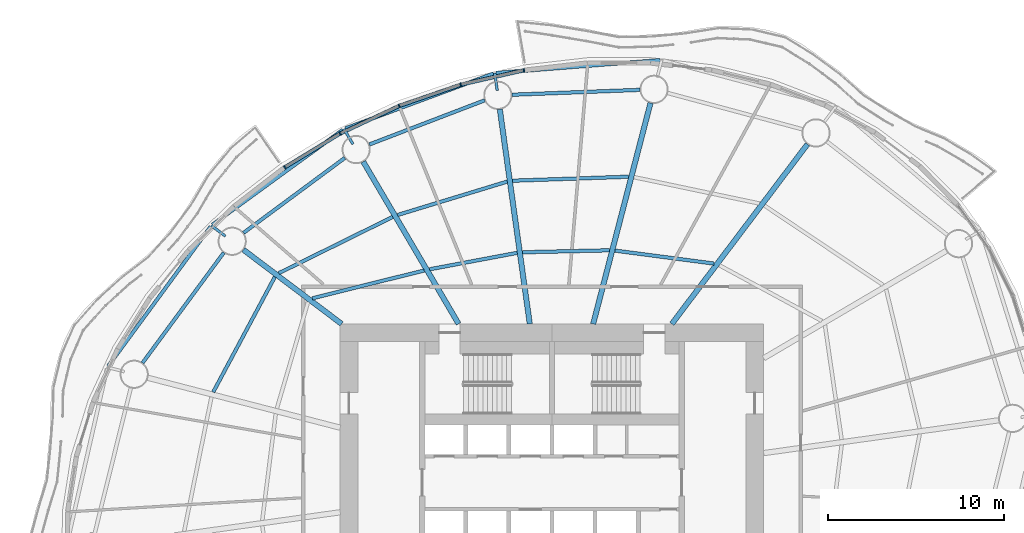
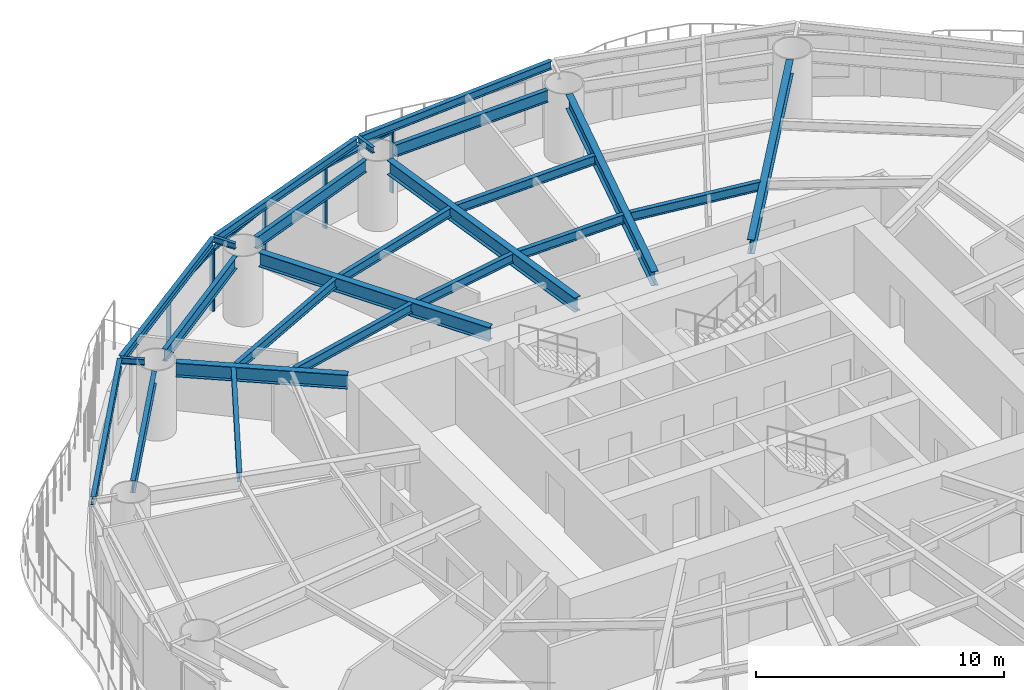
# One storey, part 4 of 15: 24 beams, 9 members, 4 elements without a shape of their own.
"""IFC4 building model written with IfcOpenShell, lengths in metres."""

import ifcopenshell
import ifcopenshell.guid

model = None  # the IFC model being written
_history = None  # IfcOwnerHistory: only IFC2X3 demands one
_inside = {}  # id of a spatial element -> (the spatial element, [elements in it])
_under = {}  # id of a project, library or spatial element -> (it, [spatial elements below it])
_declared = {}  # id of a project -> (the project, [libraries it declares])
_typed = {}  # id of a type object -> (the type object, [elements of that type])
_made_of = {}  # id of a material, layer set ... -> (it, [elements and type objects made of it])


def new_model(schema):
    """Start an empty IFC model of exactly this schema.

    Asked for "IFC4X3", IfcOpenShell would pick the latest addendum, in which some entities
    have other attributes; the version numbers below select the first issue.
    IFC2X3 requires an IfcOwnerHistory on every rooted entity: one is made here for all.
    """
    global model, _history
    if schema == "IFC4X3":
        model = ifcopenshell.file(schema_version=(4, 3, 0, 0))
    else:
        model = ifcopenshell.file(schema=schema)
    _inside.clear()
    _under.clear()
    _declared.clear()
    _typed.clear()
    _made_of.clear()
    _history = None
    if model.schema == "IFC2X3":
        org = make("IfcOrganization", Name="unknown")
        user = make(
            "IfcPersonAndOrganization",
            ThePerson=make("IfcPerson", FamilyName="unknown"),
            TheOrganization=org,
        )
        app = make(
            "IfcApplication",
            ApplicationDeveloper=org,
            Version="unknown",
            ApplicationFullName="unknown",
            ApplicationIdentifier="unknown",
        )
        _history = make(
            "IfcOwnerHistory",
            OwningUser=user,
            OwningApplication=app,
            ChangeAction="ADDED",
            CreationDate=0,
        )
    return model


def make(cls, **values):
    """One entity of the class cls with the attributes given. An attribute that is None is left unset."""
    return model.create_entity(
        cls, **{name: value for name, value in values.items() if value is not None}
    )


def rooted(cls, **values):
    """An entity with a GlobalId (a new one), such as an element, a storey or a relation."""
    return make(cls, GlobalId=ifcopenshell.guid.new(), OwnerHistory=_history, **values)


def si_unit(unit_type, name, prefix=None):
    """IfcSIUnit, for example si_unit("LENGTHUNIT", "METRE", prefix="MILLI")."""
    return make("IfcSIUnit", UnitType=unit_type, Prefix=prefix, Name=name)


def assignment(units):
    """IfcUnitAssignment: the units of a project."""
    return None if units is None else make("IfcUnitAssignment", Units=units)


def point(xyz):
    """IfcCartesianPoint."""
    return None if xyz is None else make("IfcCartesianPoint", Coordinates=xyz)


def direction(xyz):
    """IfcDirection."""
    return None if xyz is None else make("IfcDirection", DirectionRatios=xyz)


def frame(location, z_axis=None, x_axis=None):
    """IfcAxis2Placement3D, a coordinate frame: its origin and axes. An axis left out is left unset."""
    return make(
        "IfcAxis2Placement3D",
        Location=point(location),
        Axis=direction(z_axis),
        RefDirection=direction(x_axis),
    )


def frame_2d(location, x_axis=None):
    """IfcAxis2Placement2D, a coordinate frame in the plane: its origin and x axis."""
    return make(
        "IfcAxis2Placement2D", Location=point(location), RefDirection=direction(x_axis)
    )


def origin():
    """The frame at (0, 0, 0) with its axes left unset."""
    return frame((0.0, 0.0, 0.0))


def origin_2d():
    """The frame at (0, 0) in the plane with its x axis left unset."""
    return frame_2d((0.0, 0.0))


def place(relative_to, where):
    """IfcLocalPlacement: puts the frame where relative to a parent placement (None: the world)."""
    return make(
        "IfcLocalPlacement", PlacementRelTo=relative_to, RelativePlacement=where
    )


def context(
    kind, dimensions, precision=None, world=None, true_north=None, identifier=None
):
    """IfcGeometricRepresentationContext, for example the 3D "Model" context."""
    return make(
        "IfcGeometricRepresentationContext",
        ContextIdentifier=identifier,
        ContextType=kind,
        CoordinateSpaceDimension=dimensions,
        Precision=precision,
        WorldCoordinateSystem=world,
        TrueNorth=true_north,
    )


def subcontext(parent, identifier, kind, view, scale=None):
    """IfcGeometricRepresentationSubContext, for example "Body" below "Model"."""
    return make(
        "IfcGeometricRepresentationSubContext",
        ContextIdentifier=identifier,
        ContextType=kind,
        ParentContext=parent,
        TargetScale=scale,
        TargetView=view,
    )


def project(units=None, contexts=None):
    """IfcProject with its units and contexts."""
    return rooted(
        "IfcProject",
        Name="project",
        RepresentationContexts=contexts,
        UnitsInContext=assignment(units),
    )


def spatial(cls, under=None, at=None, **own):
    """A site, building, storey or space (cls), placed at a placement, below another one or the project."""
    s = rooted(cls, ObjectPlacement=at, **own)
    if under is not None:
        _under.setdefault(under.id(), (under, []))[1].append(s)
    return s


def profile(cls, at=None, kind="AREA", **sizes):
    """A parametric profile (cls). Its sizes go by their IFC names, for example OverallWidth=200.0."""
    return make(cls, ProfileType=kind, Position=at, **sizes)


def rectangle(**sizes):
    """IfcRectangleProfileDef."""
    return profile("IfcRectangleProfileDef", **sizes)


def i_section(**sizes):
    """IfcIShapeProfileDef."""
    return profile("IfcIShapeProfileDef", **sizes)


def extrude(swept, where, along, depth):
    """IfcExtrudedAreaSolid: the profile swept, set in the frame where, extruded along a direction by depth."""
    return make(
        "IfcExtrudedAreaSolid",
        SweptArea=swept,
        Position=where,
        ExtrudedDirection=direction(along),
        Depth=depth,
    )


def shape(context_of_items, identifier, shape_type, items):
    """IfcShapeRepresentation: the items that make up one representation, for example the "Body"."""
    return make(
        "IfcShapeRepresentation",
        ContextOfItems=context_of_items,
        RepresentationIdentifier=identifier,
        RepresentationType=shape_type,
        Items=items,
    )


def material(Name=None, Category=None):
    """IfcMaterial."""
    return make("IfcMaterial", Name=Name, Category=Category)


def material_profile(
    of_material, cross_section, Name=None, Category=None, Priority=None
):
    """IfcMaterialProfile: a cross section and its material."""
    return make(
        "IfcMaterialProfile",
        Name=Name,
        Material=of_material,
        Profile=cross_section,
        Priority=Priority,
        Category=Category,
    )


def profile_set(profiles, Name=None, composite=None):
    """IfcMaterialProfileSet."""
    return make(
        "IfcMaterialProfileSet",
        Name=Name,
        MaterialProfiles=profiles,
        CompositeProfile=composite,
    )


def made_of(thing, what):
    """Note that an element or type object is made of a material, layer set ...; save() writes the relation."""
    if what is not None:
        _made_of.setdefault(what.id(), (what, []))[1].append(thing)
    return thing


def type_object(cls, material=None, **own):
    """A type object (cls), such as IfcWallType, which elements share."""
    return made_of(rooted(cls, **own), material)


def element(
    cls,
    number,
    at=None,
    inside=None,
    cuts=None,
    type_object=None,
    material=None,
    context=None,
    identifier="Body",
    shape_type=None,
    held_by="IfcProductDefinitionShape",
    body=None,
    shapes=None,
    **own,
):
    """One element of the class cls, such as IfcWall. Its Tag is "e" and its number.

    at: its placement. inside: the storey or other place that contains it. cuts: it is an
    opening in that element (IfcRelVoidsElement). A single representation is given by context,
    identifier, shape_type and body (its items); several are given by shapes. held_by: the class
    of the entity that holds the representations. save() writes the other relations.
    """
    e = rooted(cls, Tag="e%d" % number, ObjectPlacement=at, **own)
    if body is not None:
        shapes = [shape(context, identifier, shape_type, body)]
    if shapes is not None:
        e.Representation = make(held_by, Representations=shapes)
    if inside is not None:
        _inside.setdefault(inside.id(), (inside, []))[1].append(e)
    if cuts is not None:
        rooted(
            "IfcRelVoidsElement", RelatingBuildingElement=cuts, RelatedOpeningElement=e
        )
    if type_object is not None:
        _typed.setdefault(type_object.id(), (type_object, []))[1].append(e)
    return made_of(e, material)


def aggregate(whole, parts):
    """IfcRelAggregates: a whole, such as a stair, and the parts it consists of."""
    return rooted("IfcRelAggregates", RelatingObject=whole, RelatedObjects=parts)


def save(model, path):
    """Write the relations noted so far, then the file.

    IfcRelAggregates (storeys below a building ...), IfcRelContainedInSpatialStructure (elements
    in a storey), IfcRelDefinesByType, IfcRelAssociatesMaterial and IfcRelDeclares: one each for
    every whole, place, type object, material and project.
    """
    for whole, parts in _under.values():
        aggregate(whole, parts)
    for where, things in _inside.values():
        rooted(
            "IfcRelContainedInSpatialStructure",
            RelatedElements=things,
            RelatingStructure=where,
        )
    for kind, things in _typed.values():
        rooted("IfcRelDefinesByType", RelatedObjects=things, RelatingType=kind)
    for what, things in _made_of.values():
        rooted("IfcRelAssociatesMaterial", RelatedObjects=things, RelatingMaterial=what)
    for by, libraries in _declared.values():
        rooted("IfcRelDeclares", RelatingContext=by, RelatedDefinitions=libraries)
    model.write(path)


model = new_model("IFC4")

# Units and contexts
model_context = context("Model", 3, precision=1e-05, world=origin(), true_north=direction((0.0, 1.0)))
body_context = subcontext(model_context, "Body", "Model", "MODEL_VIEW")
ifc_project = project(units=[si_unit("LENGTHUNIT", "METRE"), si_unit("AREAUNIT", "SQUARE_METRE"), si_unit("VOLUMEUNIT", "CUBIC_METRE"), si_unit("PLANEANGLEUNIT", "RADIAN"), si_unit("MASSUNIT", "GRAM", prefix="KILO")], contexts=[model_context])

# Site, building, storey
site_placement = place(None, origin())
site = spatial("IfcSite", under=ifc_project, at=site_placement, CompositionType="ELEMENT")
building_placement = place(site_placement, origin())
building = spatial("IfcBuilding", under=site, at=building_placement, Name="Vermilion Reach Broadcast Tower", CompositionType="ELEMENT")
storey_placement = place(building_placement, frame((0.0, 0.0, 121.0)))
storey = spatial("IfcBuildingStorey", under=building, at=storey_placement, Name="L28", CompositionType="ELEMENT", Elevation=121.0)

# Beams
ifc_material_1 = material(Name="Steel S355J2", Category="steel")
ifc_material_profile_1 = material_profile(ifc_material_1, i_section(OverallWidth=0.199951171875, OverallDepth=0.39990234375, WebThickness=0.008056640625, FlangeThickness=0.012939453125, at=origin_2d()), Name="S355J2 HN 400x200x8x13")
ifc_profile_set_1 = profile_set([ifc_material_profile_1], Name="Steel S355J2")
beam_type_1 = type_object("IfcBeamType", Name="EB2 HN 400x200x8x13", PredefinedType="BEAM", material=ifc_profile_set_1)
beam_1_placement = place(storey_placement, frame((0.13818359375, 23.94775390625, 3.25), z_axis=(-0.996967692619, -0.077816578395, 0.0), x_axis=(0.077816578395, -0.996967692619, 0.0)))
element("IfcBeam", 1, at=beam_1_placement, inside=storey, type_object=beam_type_1, Name="Edge beam EB2-03", PredefinedType="BEAM", context=body_context, shape_type="SweptSolid", body=[
    extrude(i_section(OverallWidth=0.199951171875, OverallDepth=0.39990234375, WebThickness=0.008056640625, FlangeThickness=0.012939453125, at=origin_2d()), origin(), (0.0, 0.0, 1.0), 9.333740234375),
])
beam_2_placement = place(storey_placement, frame((-9.31396484375, 23.188720703125, 3.25), z_axis=(-0.937636287559, -0.347617882527, 0.0), x_axis=(0.347617882527, -0.937636287559, 0.0)))
element("IfcBeam", 2, at=beam_2_placement, inside=storey, type_object=beam_type_1, Name="Edge beam EB2-04", PredefinedType="BEAM", context=body_context, shape_type="SweptSolid", body=[
    extrude(i_section(OverallWidth=0.199951171875, OverallDepth=0.39990234375, WebThickness=0.008056640625, FlangeThickness=0.012939453125, at=origin_2d()), origin(), (0.0, 0.0, 1.0), 8.958740234375),
])
beam_3_placement = place(storey_placement, frame((-17.846435546875, 20.00341796875, 3.25), z_axis=(-0.808467079892, -0.588541401033, 0.0), x_axis=(0.588541401033, -0.808467079892, 0.0)))
element("IfcBeam", 3, at=beam_3_placement, inside=storey, type_object=beam_type_1, Name="Edge beam EB2-05", PredefinedType="BEAM", context=body_context, shape_type="SweptSolid", body=[
    extrude(i_section(OverallWidth=0.199951171875, OverallDepth=0.39990234375, WebThickness=0.008056640625, FlangeThickness=0.012939453125, at=origin_2d()), origin(), (0.0, 0.0, 1.0), 9.147216796875),
])
beam_4_placement = place(storey_placement, frame((-25.349365234375, 14.51318359375, 3.25), z_axis=(-0.591716459007, -0.806146160532, 0.0), x_axis=(0.806146160532, -0.591716459007, 0.0)))
element("IfcBeam", 4, at=beam_4_placement, inside=storey, type_object=beam_type_1, Name="Edge beam EB2-06", PredefinedType="BEAM", context=body_context, shape_type="SweptSolid", body=[
    extrude(i_section(OverallWidth=0.199951171875, OverallDepth=0.39990234375, WebThickness=0.008056640625, FlangeThickness=0.012939453125, at=origin_2d()), origin(), (0.0, 0.0, 1.0), 9.80859375),
])
ifc_material_2 = material(Name="Steel S355J2", Category="steel")
ifc_material_profile_2 = material_profile(ifc_material_2, i_section(OverallWidth=0.300048828125, OverallDepth=0.699951171875, WebThickness=0.012939453125, FlangeThickness=0.02392578125, at=origin_2d()), Name="S355J2 HN 700x300x13x24")
ifc_profile_set_2 = profile_set([ifc_material_profile_2], Name="Steel S355J2")
beam_type_2 = type_object("IfcBeamType", Name="G2 HN 700x300x13x24", PredefinedType="BEAM", material=ifc_profile_set_2)
beam_5_placement = place(storey_placement, frame((0.794189453125, 9.0, 3.10009765625), z_axis=(0.602519842365, 0.798103902733, 0.0), x_axis=(-0.798103902733, 0.602519842365, 0.0)))
element("IfcBeam", 5, at=beam_5_placement, inside=storey, type_object=beam_type_2, Name="Girder G2-02", PredefinedType="BEAM", context=body_context, shape_type="SweptSolid", body=[
    extrude(i_section(OverallWidth=0.300048828125, OverallDepth=0.699951171875, WebThickness=0.012939453125, FlangeThickness=0.02392578125, at=origin_2d()), origin(), (0.0, 0.0, 1.0), 12.758544921875),
])
beam_6_placement = place(storey_placement, frame((-3.6640625, 9.0, 3.10009765625), z_axis=(0.25121695316, 0.967930804575, 0.0), x_axis=(-0.967930804575, 0.25121695316, 0.0)))
element("IfcBeam", 6, at=beam_6_placement, inside=storey, type_object=beam_type_2, Name="Girder G2-03", PredefinedType="BEAM", context=body_context, shape_type="SweptSolid", body=[
    extrude(i_section(OverallWidth=0.300048828125, OverallDepth=0.699951171875, WebThickness=0.012939453125, FlangeThickness=0.02392578125, at=origin_2d()), origin(), (0.0, 0.0, 1.0), 12.93505859375),
])
beam_7_placement = place(storey_placement, frame((-7.2568359375, 9.0, 3.10009765625), z_axis=(-0.138317561234, 0.990387930184, 0.0), x_axis=(-0.990387930184, -0.138317561234, 0.0)))
element("IfcBeam", 7, at=beam_7_placement, inside=storey, type_object=beam_type_2, Name="Girder G2-04", PredefinedType="BEAM", context=body_context, shape_type="SweptSolid", body=[
    extrude(i_section(OverallWidth=0.300048828125, OverallDepth=0.699951171875, WebThickness=0.012939453125, FlangeThickness=0.02392578125, at=origin_2d()), origin(), (0.0, 0.0, 1.0), 12.281494140625),
])
beam_8_placement = place(storey_placement, frame((-11.290771484375, 9.0, 3.10009765625), z_axis=(-0.506783943634, 0.862073102744, 0.0), x_axis=(-0.862073102744, -0.506783943634, 0.0)))
element("IfcBeam", 8, at=beam_8_placement, inside=storey, type_object=beam_type_2, Name="Girder G2-05", PredefinedType="BEAM", context=body_context, shape_type="SweptSolid", body=[
    extrude(i_section(OverallWidth=0.300048828125, OverallDepth=0.699951171875, WebThickness=0.012939453125, FlangeThickness=0.02392578125, at=origin_2d()), origin(), (0.0, 0.0, 1.0), 10.661865234375),
])
beam_9_placement = place(storey_placement, frame((-17.921630859375, 9.0, 3.10009765625), z_axis=(-0.798113534072, 0.602507084382, 0.0), x_axis=(-0.602507084382, -0.798113534072, 0.0)))
element("IfcBeam", 9, at=beam_9_placement, inside=storey, type_object=beam_type_2, Name="Girder G2-06", PredefinedType="BEAM", context=body_context, shape_type="SweptSolid", body=[
    extrude(i_section(OverallWidth=0.300048828125, OverallDepth=0.699951171875, WebThickness=0.012939453125, FlangeThickness=0.02392578125, at=origin_2d()), origin(), (0.0, 0.0, 1.0), 6.971923828125),
])
ifc_material_3 = material(Name="Steel S355J2", Category="steel")
ifc_material_profile_3 = material_profile(ifc_material_3, i_section(OverallWidth=0.14990234375, OverallDepth=0.300048828125, WebThickness=0.006591796875, FlangeThickness=0.009033203125, at=origin_2d()), Name="S355J2 HN 300x150x6.5x9")
ifc_profile_set_3 = profile_set([ifc_material_profile_3], Name="Steel S355J2")
beam_type_3 = type_object("IfcBeamType", Name="GS2 HN 300x150x6.5x9", PredefinedType="BEAM", material=ifc_profile_set_3)
for number, where, z_axis, x_axis, name in (
    (10, (-9.103759765625, 22.22509765625, 3.300048828125), (-0.13817375644, 0.990408003315, 0.0), (-0.990408003315, -0.13817375644, 0.0), "Cantilever stub GS2-04"),
    (11, (-17.27880859375, 19.185791015625, 3.300048828125), (-0.506828068037, 0.862047161964, 0.0), (-0.862047161964, -0.506828068037, 0.0), "Cantilever stub GS2-05"),
    (12, (-24.5068359375, 13.97119140625, 3.300048828125), (-0.798091683473, 0.602536027779, 0.0), (-0.602536027779, -0.798091683473, 0.0), "Cantilever stub GS2-06"),
):
    element("IfcBeam", number, at=place(storey_placement, frame(where, z_axis=z_axis, x_axis=x_axis)), inside=storey, type_object=beam_type_3, Name=name, PredefinedType="BEAM", context=body_context, shape_type="SweptSolid", body=[
        extrude(i_section(OverallWidth=0.14990234375, OverallDepth=0.300048828125, WebThickness=0.006591796875, FlangeThickness=0.009033203125, at=origin_2d()), origin(), (0.0, 0.0, 1.0), 1.0),
    ])
ifc_material_4 = material(Name="Steel S355J2", Category="steel")
ifc_material_profile_4 = material_profile(ifc_material_4, i_section(OverallWidth=0.199951171875, OverallDepth=0.60009765625, WebThickness=0.010986328125, FlangeThickness=0.01708984375, at=origin_2d()), Name="S355J2 HN 600x200x11x17")
ifc_profile_set_4 = profile_set([ifc_material_profile_4], Name="Steel S355J2")
beam_type_4 = type_object("IfcBeamType", Name="RB2 HN 600x200x11x17", PredefinedType="BEAM", material=ifc_profile_set_4)
beam_10_placement = place(storey_placement, frame((-1.012939453125, 22.263916015625, 3.14990234375), z_axis=(-0.999268558327, -0.038240663418, 0.0), x_axis=(0.038240663418, -0.999268558327, 0.0)))
element("IfcBeam", 13, at=beam_10_placement, inside=storey, type_object=beam_type_4, Name="Ring beam RB2-03", PredefinedType="BEAM", context=body_context, shape_type="SweptSolid", body=[
    extrude(i_section(OverallWidth=0.199951171875, OverallDepth=0.60009765625, WebThickness=0.010986328125, FlangeThickness=0.01708984375, at=origin_2d()), origin(), (0.0, 0.0, 1.0), 7.259033203125),
])
beam_11_placement = place(storey_placement, frame((-9.813232421875, 21.669677734375, 3.14990234375), z_axis=(-0.933939237212, -0.357431813353, 0.0), x_axis=(0.357431813353, -0.933939237212, 0.0)))
element("IfcBeam", 14, at=beam_11_placement, inside=storey, type_object=beam_type_4, Name="Ring beam RB2-04", PredefinedType="BEAM", context=body_context, shape_type="SweptSolid", body=[
    extrude(i_section(OverallWidth=0.199951171875, OverallDepth=0.60009765625, WebThickness=0.010986328125, FlangeThickness=0.01708984375, at=origin_2d()), origin(), (0.0, 0.0, 1.0), 7.001953125),
])
beam_12_placement = place(storey_placement, frame((-17.74267578125, 18.4052734375, 3.14990234375), z_axis=(-0.803832742218, -0.594855379515, 0.0), x_axis=(0.594855379515, -0.803832742218, 0.0)))
element("IfcBeam", 15, at=beam_12_placement, inside=storey, type_object=beam_type_4, Name="Ring beam RB2-05", PredefinedType="BEAM", context=body_context, shape_type="SweptSolid", body=[
    extrude(i_section(OverallWidth=0.199951171875, OverallDepth=0.60009765625, WebThickness=0.010986328125, FlangeThickness=0.01708984375, at=origin_2d()), origin(), (0.0, 0.0, 1.0), 7.13916015625),
])
beam_13_placement = place(storey_placement, frame((-24.59912109375, 13.03857421875, 3.14990234375), z_axis=(-0.593250534798, -0.80501788984, 0.0), x_axis=(0.80501788984, -0.593250534798, 0.0)))
element("IfcBeam", 16, at=beam_13_placement, inside=storey, type_object=beam_type_4, Name="Ring beam RB2-06", PredefinedType="BEAM", context=body_context, shape_type="SweptSolid", body=[
    extrude(i_section(OverallWidth=0.199951171875, OverallDepth=0.60009765625, WebThickness=0.010986328125, FlangeThickness=0.01708984375, at=origin_2d()), origin(), (0.0, 0.0, 1.0), 7.76220703125),
])
ifc_material_5 = material(Name="Steel S355J2", Category="steel")
ifc_material_profile_5 = material_profile(ifc_material_5, i_section(OverallWidth=0.199951171875, OverallDepth=0.449951171875, WebThickness=0.009033203125, FlangeThickness=0.013916015625, at=origin_2d()), Name="S355J2 HN 450x200x9x14")
ifc_profile_set_5 = profile_set([ifc_material_profile_5], Name="Steel S355J2")
beam_type_5 = type_object("IfcBeamType", Name="SB2 HN 450x200x9x14", PredefinedType="BEAM", material=ifc_profile_set_5)
beam_14_placement = place(storey_placement, frame((3.185546875, 12.416748046875, 3.22509765625), z_axis=(-0.991498686864, 0.130116693573, 0.0), x_axis=(-0.130116693573, -0.991498686864, 0.0)))
element("IfcBeam", 17, at=beam_14_placement, inside=storey, type_object=beam_type_5, Name="Secondary beam SB2-02-1", PredefinedType="BEAM", context=body_context, shape_type="SweptSolid", body=[
    extrude(i_section(OverallWidth=0.199951171875, OverallDepth=0.449951171875, WebThickness=0.009033203125, FlangeThickness=0.013916015625, at=origin_2d()), origin(), (0.0, 0.0, 1.0), 5.66455078125),
])
beam_15_placement = place(storey_placement, frame((-2.73681640625, 13.169921875, 3.22509765625), z_axis=(-0.999742320425, -0.022700060602, 0.0), x_axis=(0.022700060602, -0.999742320425, 0.0)))
element("IfcBeam", 18, at=beam_15_placement, inside=storey, type_object=beam_type_5, Name="Secondary beam SB2-03-1", PredefinedType="BEAM", context=body_context, shape_type="SweptSolid", body=[
    extrude(i_section(OverallWidth=0.199951171875, OverallDepth=0.449951171875, WebThickness=0.009033203125, FlangeThickness=0.013916015625, at=origin_2d()), origin(), (0.0, 0.0, 1.0), 4.9365234375),
])
beam_16_placement = place(storey_placement, frame((-1.654052734375, 17.34130859375, 3.22509765625), z_axis=(-0.999404722387, -0.03449928797, 0.0), x_axis=(0.03449928797, -0.999404722387, 0.0)))
element("IfcBeam", 19, at=beam_16_placement, inside=storey, type_object=beam_type_5, Name="Secondary beam SB2-03-2", PredefinedType="BEAM", context=body_context, shape_type="SweptSolid", body=[
    extrude(i_section(OverallWidth=0.199951171875, OverallDepth=0.449951171875, WebThickness=0.009033203125, FlangeThickness=0.013916015625, at=origin_2d()), origin(), (0.0, 0.0, 1.0), 6.58837890625),
])
beam_17_placement = place(storey_placement, frame((-7.970703125, 13.026611328125, 3.22509765625), z_axis=(-0.982782890015, -0.184764149915, 0.0), x_axis=(0.184764149915, -0.982782890015, 0.0)))
element("IfcBeam", 20, at=beam_17_placement, inside=storey, type_object=beam_type_5, Name="Secondary beam SB2-04-1", PredefinedType="BEAM", context=body_context, shape_type="SweptSolid", body=[
    extrude(i_section(OverallWidth=0.199951171875, OverallDepth=0.449951171875, WebThickness=0.009033203125, FlangeThickness=0.013916015625, at=origin_2d()), origin(), (0.0, 0.0, 1.0), 5.051513671875),
])
beam_18_placement = place(storey_placement, frame((-8.53466796875, 17.064697265625, 3.22509765625), z_axis=(-0.956596430605, -0.291415972374, 0.0), x_axis=(0.291415972374, -0.956596430605, 0.0)))
element("IfcBeam", 21, at=beam_18_placement, inside=storey, type_object=beam_type_5, Name="Secondary beam SB2-04-2", PredefinedType="BEAM", context=body_context, shape_type="SweptSolid", body=[
    extrude(i_section(OverallWidth=0.199951171875, OverallDepth=0.449951171875, WebThickness=0.009033203125, FlangeThickness=0.013916015625, at=origin_2d()), origin(), (0.0, 0.0, 1.0), 6.49267578125),
])
beam_19_placement = place(storey_placement, frame((-13.24365234375, 12.026123046875, 3.22509765625), z_axis=(-0.970396717612, -0.241516480695, 0.0), x_axis=(0.241516480695, -0.970396717612, 0.0)))
element("IfcBeam", 22, at=beam_19_placement, inside=storey, type_object=beam_type_5, Name="Secondary beam SB2-05-1", PredefinedType="BEAM", context=body_context, shape_type="SweptSolid", body=[
    extrude(i_section(OverallWidth=0.199951171875, OverallDepth=0.449951171875, WebThickness=0.009033203125, FlangeThickness=0.013916015625, at=origin_2d()), origin(), (0.0, 0.0, 1.0), 6.539306640625),
])
beam_20_placement = place(storey_placement, frame((-15.02783203125, 15.06103515625, 3.22509765625), z_axis=(-0.896648255868, -0.442743611189, 0.0), x_axis=(0.442743611189, -0.896648255868, 0.0)))
element("IfcBeam", 23, at=beam_20_placement, inside=storey, type_object=beam_type_5, Name="Secondary beam SB2-05-2", PredefinedType="BEAM", context=body_context, shape_type="SweptSolid", body=[
    extrude(i_section(OverallWidth=0.199951171875, OverallDepth=0.449951171875, WebThickness=0.009033203125, FlangeThickness=0.013916015625, at=origin_2d()), origin(), (0.0, 0.0, 1.0), 7.19677734375),
])
beam_21_placement = place(storey_placement, frame((-21.702880859375, 11.66650390625, 3.22509765625), z_axis=(-0.471821551693, -0.881694064491, 0.0), x_axis=(0.881694064491, -0.471821551693, 0.0)))
element("IfcBeam", 24, at=beam_21_placement, inside=storey, type_object=beam_type_5, Name="Secondary beam SB2-06-2", PredefinedType="BEAM", context=body_context, shape_type="SweptSolid", body=[
    extrude(i_section(OverallWidth=0.199951171875, OverallDepth=0.449951171875, WebThickness=0.009033203125, FlangeThickness=0.013916015625, at=origin_2d()), origin(), (0.0, 0.0, 1.0), 7.405029296875),
])

# Curtain wall, member
ifc_material_6 = material(Name="Low-e laminated clear glass in aluminium frame", Category="aluminium")
curtain_wall_type = type_object("IfcCurtainWallType", Name="Slot curtain wall", PredefinedType="NOTDEFINED", material=ifc_material_6)
placement = place(storey_placement, origin())
curtain_wall_1 = element("IfcCurtainWall", 25, at=placement, inside=storey, type_object=curtain_wall_type, Name="Slot curtain wall L28 10", PredefinedType="NOTDEFINED")
ifc_material_7 = material(Name="Anodised aluminium", Category="aluminium")
ifc_material_profile_6 = material_profile(ifc_material_7, rectangle(XDim=0.199951171875, YDim=0.080078125, at=origin_2d()), Name="Slot mullion 80 x 200")
ifc_profile_set_6 = profile_set([ifc_material_profile_6], Name="Anodised aluminium")
member_type_1 = type_object("IfcMemberType", Name="Slot mullion 80 x 200", PredefinedType="MULLION", material=ifc_profile_set_6)
member_1_placement = place(storey_placement, frame((-7.59326171875, 23.37158203125, 0.0), z_axis=(0.0, 0.0, 1.0), x_axis=(0.168128050561, -0.98576516403, 0.0)))
member_1 = element("IfcMember", 26, at=member_1_placement, type_object=member_type_1, Name="Slot mullion L28 10", PredefinedType="MULLION", context=body_context, shape_type="SweptSolid", body=[
    extrude(rectangle(XDim=0.199951171875, YDim=0.080078125, at=origin_2d()), origin(), (0.0, 0.0, 1.0), 3.050048828125),
])

curtain_wall_2 = element("IfcCurtainWall", 27, at=placement, inside=storey, type_object=curtain_wall_type, Name="Slot curtain wall L28 11", PredefinedType="NOTDEFINED")
member_2_placement = place(storey_placement, frame((-11.172119140625, 22.55712890625, 0.0), z_axis=(0.0, 0.0, 1.0), x_axis=(0.274195317575, -0.961674023679, 0.0)))
member_2 = element("IfcMember", 28, at=member_2_placement, type_object=member_type_1, Name="Slot mullion L28 11", PredefinedType="MULLION", context=body_context, shape_type="SweptSolid", body=[
    extrude(rectangle(XDim=0.199951171875, YDim=0.080078125, at=origin_2d()), origin(), (0.0, 0.0, 1.0), 3.050048828125),
])

curtain_wall_3 = element("IfcCurtainWall", 29, at=placement, inside=storey, type_object=curtain_wall_type, Name="Slot curtain wall L28 12", PredefinedType="NOTDEFINED")
member_3_placement = place(storey_placement, frame((-14.66259765625, 21.354736328125, 0.0), z_axis=(0.0, 0.0, 1.0), x_axis=(0.37590079976, -0.926659909967, 0.0)))
member_3 = element("IfcMember", 30, at=member_3_placement, type_object=member_type_1, Name="Slot mullion L28 12", PredefinedType="MULLION", context=body_context, shape_type="SweptSolid", body=[
    extrude(rectangle(XDim=0.199951171875, YDim=0.080078125, at=origin_2d()), origin(), (0.0, 0.0, 1.0), 3.050048828125),
])

# Curtain wall, members
curtain_wall_4 = element("IfcCurtainWall", 31, at=placement, inside=storey, type_object=curtain_wall_type, Name="Slot curtain wall L28 13", PredefinedType="NOTDEFINED")
member_4_placement = place(storey_placement, frame((-18.004150390625, 19.78564453125, 0.0), z_axis=(0.0, 0.0, 1.0), x_axis=(0.473257207118, -0.880924296357, 0.0)))
member_4 = element("IfcMember", 32, at=member_4_placement, type_object=member_type_1, Name="Slot mullion L28 13", PredefinedType="MULLION", context=body_context, shape_type="SweptSolid", body=[
    extrude(rectangle(XDim=0.199951171875, YDim=0.080078125, at=origin_2d()), origin(), (0.0, 0.0, 1.0), 3.050048828125),
])
member_5_placement = place(storey_placement, frame((-21.13916015625, 17.876708984375, 0.0), z_axis=(0.0, 0.0, 1.0), x_axis=(0.566132978597, -0.824313927181, 0.0)))
member_5 = element("IfcMember", 33, at=member_5_placement, type_object=member_type_1, Name="Slot mullion L28 14", PredefinedType="MULLION", context=body_context, shape_type="SweptSolid", body=[
    extrude(rectangle(XDim=0.199951171875, YDim=0.080078125, at=origin_2d()), origin(), (0.0, 0.0, 1.0), 3.050048828125),
])

# Member
ifc_material_8 = material(Name="Anodised aluminium", Category="aluminium")
ifc_material_profile_7 = material_profile(ifc_material_8, rectangle(XDim=0.199951171875, YDim=0.10009765625, at=origin_2d()), Name="Slot transom 200 x 100")
ifc_profile_set_7 = profile_set([ifc_material_profile_7], Name="Anodised aluminium")
member_type_2 = type_object("IfcMemberType", Name="Slot transom 200 x 100", PredefinedType="USERDEFINED", material=ifc_profile_set_7)
member_6_placement = place(storey_placement, frame((-7.632080078125, 23.36279296875, 3.0), z_axis=(-0.975064015989, -0.221923781339, 0.0), x_axis=(0.221923781339, -0.975064015989, 0.0)))
member_6 = element("IfcMember", 34, at=member_6_placement, type_object=member_type_2, Name="Slot transom L28 10.1", ObjectType="TRANSOM", PredefinedType="USERDEFINED", context=body_context, shape_type="SweptSolid", body=[
    extrude(rectangle(XDim=0.199951171875, YDim=0.10009765625, at=origin_2d()), origin(), (0.0, 0.0, 1.0), 3.5908203125),
])

aggregate(curtain_wall_1, [member_1, member_6])

member_7_placement = place(storey_placement, frame((-11.2099609375, 22.5439453125, 3.0), z_axis=(-0.945500060962, -0.325621919901, 0.0), x_axis=(0.325621919901, -0.945500060962, 0.0)))
member_7 = element("IfcMember", 35, at=member_7_placement, type_object=member_type_2, Name="Slot transom L28 11.1", ObjectType="TRANSOM", PredefinedType="USERDEFINED", context=body_context, shape_type="SweptSolid", body=[
    extrude(rectangle(XDim=0.199951171875, YDim=0.10009765625, at=origin_2d()), origin(), (0.0, 0.0, 1.0), 3.611572265625),
])

aggregate(curtain_wall_2, [member_2, member_7])

member_8_placement = place(storey_placement, frame((-14.69873046875, 21.337890625, 3.0), z_axis=(-0.905173790943, -0.425041654652, 0.0), x_axis=(0.425041654652, -0.905173790943, 0.0)))
member_8 = element("IfcMember", 36, at=member_8_placement, type_object=member_type_2, Name="Slot transom L28 12.1", ObjectType="TRANSOM", PredefinedType="USERDEFINED", context=body_context, shape_type="SweptSolid", body=[
    extrude(rectangle(XDim=0.199951171875, YDim=0.10009765625, at=origin_2d()), origin(), (0.0, 0.0, 1.0), 3.61181640625),
])

aggregate(curtain_wall_3, [member_3, member_8])

member_9_placement = place(storey_placement, frame((-18.038330078125, 19.764892578125, 3.0), z_axis=(-0.854121081639, -0.520074204224, 0.0), x_axis=(0.520074204224, -0.854121081639, 0.0)))
member_9 = element("IfcMember", 37, at=member_9_placement, type_object=member_type_2, Name="Slot transom L28 13.1", ObjectType="TRANSOM", PredefinedType="USERDEFINED", context=body_context, shape_type="SweptSolid", body=[
    extrude(rectangle(XDim=0.199951171875, YDim=0.10009765625, at=origin_2d()), origin(), (0.0, 0.0, 1.0), 3.5908203125),
])

aggregate(curtain_wall_4, [member_4, member_5, member_9])

save(model, "model.ifc")
